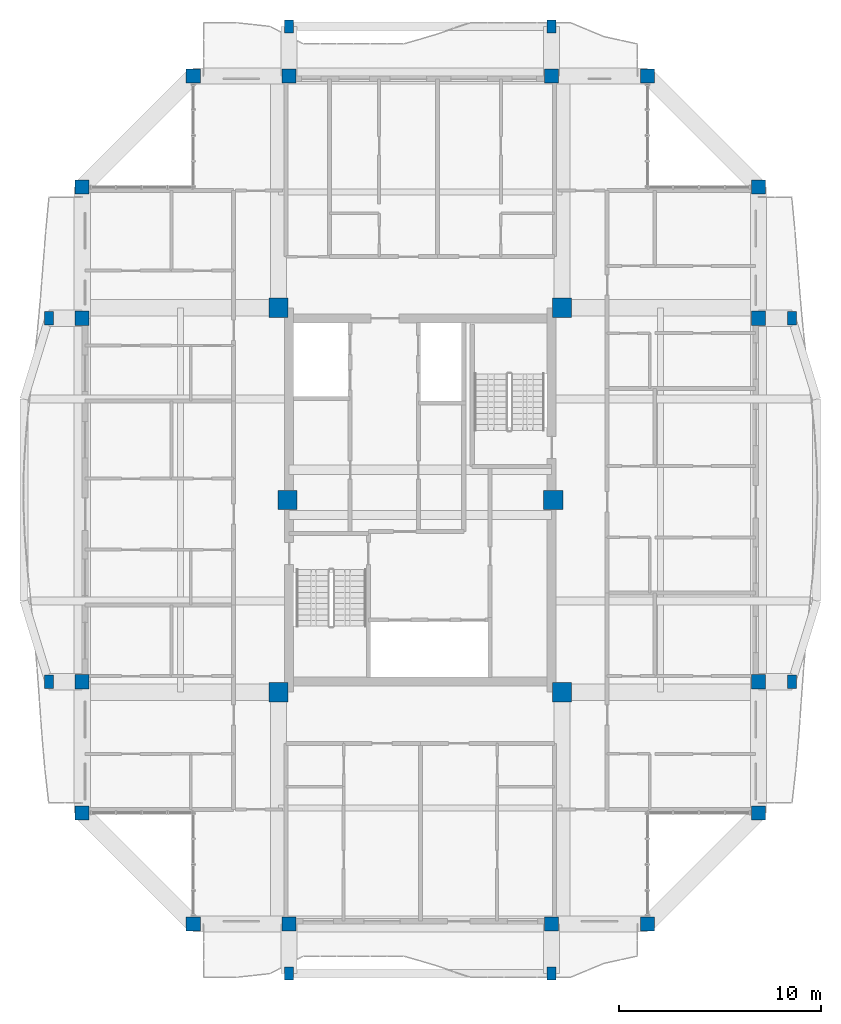
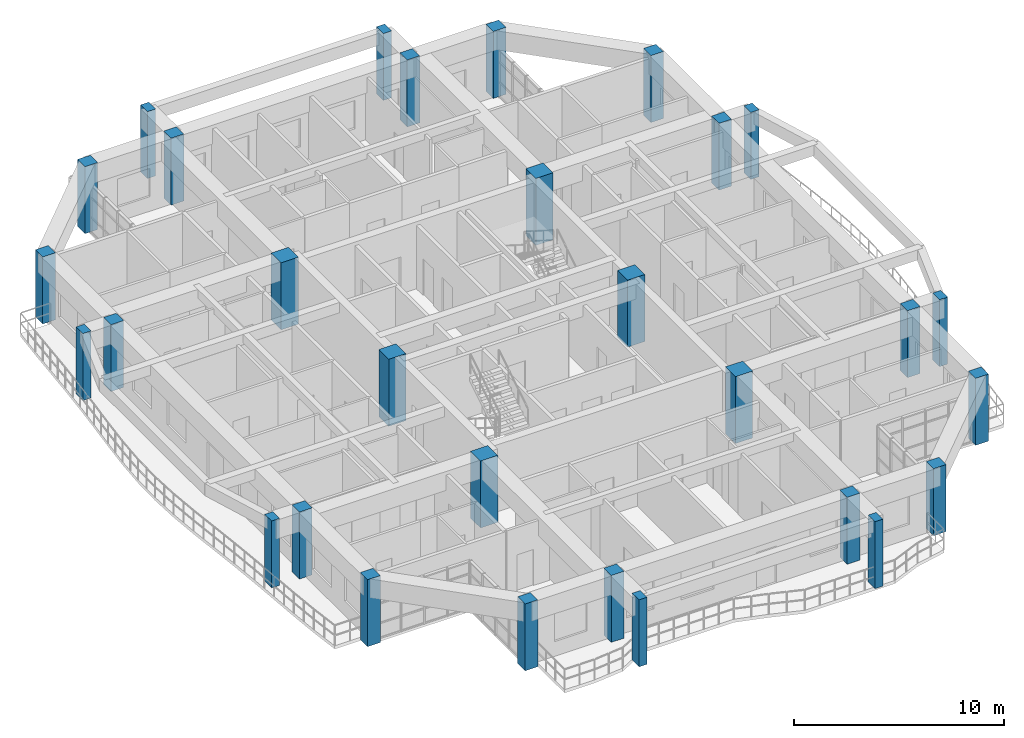
# One storey, part 1 of 27: 30 columns.
"""IFC4 building model written with IfcOpenShell, lengths in metres."""

import ifcopenshell
import ifcopenshell.guid

model = None  # the IFC model being written
_history = None  # IfcOwnerHistory: only IFC2X3 demands one
_inside = {}  # id of a spatial element -> (the spatial element, [elements in it])
_under = {}  # id of a project, library or spatial element -> (it, [spatial elements below it])
_declared = {}  # id of a project -> (the project, [libraries it declares])
_typed = {}  # id of a type object -> (the type object, [elements of that type])
_made_of = {}  # id of a material, layer set ... -> (it, [elements and type objects made of it])


def new_model(schema):
    """Start an empty IFC model of exactly this schema.

    Asked for "IFC4X3", IfcOpenShell would pick the latest addendum, in which some entities
    have other attributes; the version numbers below select the first issue.
    IFC2X3 requires an IfcOwnerHistory on every rooted entity: one is made here for all.
    """
    global model, _history
    if schema == "IFC4X3":
        model = ifcopenshell.file(schema_version=(4, 3, 0, 0))
    else:
        model = ifcopenshell.file(schema=schema)
    _inside.clear()
    _under.clear()
    _declared.clear()
    _typed.clear()
    _made_of.clear()
    _history = None
    if model.schema == "IFC2X3":
        org = make("IfcOrganization", Name="unknown")
        user = make(
            "IfcPersonAndOrganization",
            ThePerson=make("IfcPerson", FamilyName="unknown"),
            TheOrganization=org,
        )
        app = make(
            "IfcApplication",
            ApplicationDeveloper=org,
            Version="unknown",
            ApplicationFullName="unknown",
            ApplicationIdentifier="unknown",
        )
        _history = make(
            "IfcOwnerHistory",
            OwningUser=user,
            OwningApplication=app,
            ChangeAction="ADDED",
            CreationDate=0,
        )
    return model


def make(cls, **values):
    """One entity of the class cls with the attributes given. An attribute that is None is left unset."""
    return model.create_entity(
        cls, **{name: value for name, value in values.items() if value is not None}
    )


def rooted(cls, **values):
    """An entity with a GlobalId (a new one), such as an element, a storey or a relation."""
    return make(cls, GlobalId=ifcopenshell.guid.new(), OwnerHistory=_history, **values)


def si_unit(unit_type, name, prefix=None):
    """IfcSIUnit, for example si_unit("LENGTHUNIT", "METRE", prefix="MILLI")."""
    return make("IfcSIUnit", UnitType=unit_type, Prefix=prefix, Name=name)


def assignment(units):
    """IfcUnitAssignment: the units of a project."""
    return None if units is None else make("IfcUnitAssignment", Units=units)


def point(xyz):
    """IfcCartesianPoint."""
    return None if xyz is None else make("IfcCartesianPoint", Coordinates=xyz)


def direction(xyz):
    """IfcDirection."""
    return None if xyz is None else make("IfcDirection", DirectionRatios=xyz)


def frame(location, z_axis=None, x_axis=None):
    """IfcAxis2Placement3D, a coordinate frame: its origin and axes. An axis left out is left unset."""
    return make(
        "IfcAxis2Placement3D",
        Location=point(location),
        Axis=direction(z_axis),
        RefDirection=direction(x_axis),
    )


def frame_2d(location, x_axis=None):
    """IfcAxis2Placement2D, a coordinate frame in the plane: its origin and x axis."""
    return make(
        "IfcAxis2Placement2D", Location=point(location), RefDirection=direction(x_axis)
    )


def origin():
    """The frame at (0, 0, 0) with its axes left unset."""
    return frame((0.0, 0.0, 0.0))


def origin_2d():
    """The frame at (0, 0) in the plane with its x axis left unset."""
    return frame_2d((0.0, 0.0))


def place(relative_to, where):
    """IfcLocalPlacement: puts the frame where relative to a parent placement (None: the world)."""
    return make(
        "IfcLocalPlacement", PlacementRelTo=relative_to, RelativePlacement=where
    )


def context(
    kind, dimensions, precision=None, world=None, true_north=None, identifier=None
):
    """IfcGeometricRepresentationContext, for example the 3D "Model" context."""
    return make(
        "IfcGeometricRepresentationContext",
        ContextIdentifier=identifier,
        ContextType=kind,
        CoordinateSpaceDimension=dimensions,
        Precision=precision,
        WorldCoordinateSystem=world,
        TrueNorth=true_north,
    )


def subcontext(parent, identifier, kind, view, scale=None):
    """IfcGeometricRepresentationSubContext, for example "Body" below "Model"."""
    return make(
        "IfcGeometricRepresentationSubContext",
        ContextIdentifier=identifier,
        ContextType=kind,
        ParentContext=parent,
        TargetScale=scale,
        TargetView=view,
    )


def project(units=None, contexts=None):
    """IfcProject with its units and contexts."""
    return rooted(
        "IfcProject",
        Name="project",
        RepresentationContexts=contexts,
        UnitsInContext=assignment(units),
    )


def spatial(cls, under=None, at=None, **own):
    """A site, building, storey or space (cls), placed at a placement, below another one or the project."""
    s = rooted(cls, ObjectPlacement=at, **own)
    if under is not None:
        _under.setdefault(under.id(), (under, []))[1].append(s)
    return s


def profile(cls, at=None, kind="AREA", **sizes):
    """A parametric profile (cls). Its sizes go by their IFC names, for example OverallWidth=200.0."""
    return make(cls, ProfileType=kind, Position=at, **sizes)


def rectangle(**sizes):
    """IfcRectangleProfileDef."""
    return profile("IfcRectangleProfileDef", **sizes)


def extrude(swept, where, along, depth):
    """IfcExtrudedAreaSolid: the profile swept, set in the frame where, extruded along a direction by depth."""
    return make(
        "IfcExtrudedAreaSolid",
        SweptArea=swept,
        Position=where,
        ExtrudedDirection=direction(along),
        Depth=depth,
    )


def shape(context_of_items, identifier, shape_type, items):
    """IfcShapeRepresentation: the items that make up one representation, for example the "Body"."""
    return make(
        "IfcShapeRepresentation",
        ContextOfItems=context_of_items,
        RepresentationIdentifier=identifier,
        RepresentationType=shape_type,
        Items=items,
    )


def source(mapping_origin, context_of_items, identifier, shape_type, items):
    """IfcRepresentationMap: a shape defined once, which mapped items show again and again."""
    return make(
        "IfcRepresentationMap",
        MappingOrigin=mapping_origin,
        MappedRepresentation=shape(context_of_items, identifier, shape_type, items),
    )


def transform(
    local_origin,
    x_axis=None,
    y_axis=None,
    z_axis=None,
    scale=None,
    scale2=None,
    scale3=None,
    uniform=True,
):
    """IfcCartesianTransformationOperator3D, or its non-uniform kind. x_axis, y_axis, z_axis: its Axis1, 2, 3."""
    if uniform:
        return make(
            "IfcCartesianTransformationOperator3D",
            Axis1=direction(x_axis),
            Axis2=direction(y_axis),
            LocalOrigin=point(local_origin),
            Scale=scale,
            Axis3=direction(z_axis),
        )
    return make(
        "IfcCartesianTransformationOperator3DnonUniform",
        Axis1=direction(x_axis),
        Axis2=direction(y_axis),
        LocalOrigin=point(local_origin),
        Scale=scale,
        Axis3=direction(z_axis),
        Scale2=scale2,
        Scale3=scale3,
    )


def mapped(mapping_source, mapping_target):
    """IfcMappedItem: shows the shape of a source again, moved by a transform."""
    return make(
        "IfcMappedItem", MappingSource=mapping_source, MappingTarget=mapping_target
    )


def material(Name=None, Category=None):
    """IfcMaterial."""
    return make("IfcMaterial", Name=Name, Category=Category)


def material_profile(
    of_material, cross_section, Name=None, Category=None, Priority=None
):
    """IfcMaterialProfile: a cross section and its material."""
    return make(
        "IfcMaterialProfile",
        Name=Name,
        Material=of_material,
        Profile=cross_section,
        Priority=Priority,
        Category=Category,
    )


def profile_set(profiles, Name=None, composite=None):
    """IfcMaterialProfileSet."""
    return make(
        "IfcMaterialProfileSet",
        Name=Name,
        MaterialProfiles=profiles,
        CompositeProfile=composite,
    )


def made_of(thing, what):
    """Note that an element or type object is made of a material, layer set ...; save() writes the relation."""
    if what is not None:
        _made_of.setdefault(what.id(), (what, []))[1].append(thing)
    return thing


def type_object(cls, material=None, **own):
    """A type object (cls), such as IfcWallType, which elements share."""
    return made_of(rooted(cls, **own), material)


def element(
    cls,
    number,
    at=None,
    inside=None,
    cuts=None,
    type_object=None,
    material=None,
    context=None,
    identifier="Body",
    shape_type=None,
    held_by="IfcProductDefinitionShape",
    body=None,
    shapes=None,
    **own,
):
    """One element of the class cls, such as IfcWall. Its Tag is "e" and its number.

    at: its placement. inside: the storey or other place that contains it. cuts: it is an
    opening in that element (IfcRelVoidsElement). A single representation is given by context,
    identifier, shape_type and body (its items); several are given by shapes. held_by: the class
    of the entity that holds the representations. save() writes the other relations.
    """
    e = rooted(cls, Tag="e%d" % number, ObjectPlacement=at, **own)
    if body is not None:
        shapes = [shape(context, identifier, shape_type, body)]
    if shapes is not None:
        e.Representation = make(held_by, Representations=shapes)
    if inside is not None:
        _inside.setdefault(inside.id(), (inside, []))[1].append(e)
    if cuts is not None:
        rooted(
            "IfcRelVoidsElement", RelatingBuildingElement=cuts, RelatedOpeningElement=e
        )
    if type_object is not None:
        _typed.setdefault(type_object.id(), (type_object, []))[1].append(e)
    return made_of(e, material)


def aggregate(whole, parts):
    """IfcRelAggregates: a whole, such as a stair, and the parts it consists of."""
    return rooted("IfcRelAggregates", RelatingObject=whole, RelatedObjects=parts)


def save(model, path):
    """Write the relations noted so far, then the file.

    IfcRelAggregates (storeys below a building ...), IfcRelContainedInSpatialStructure (elements
    in a storey), IfcRelDefinesByType, IfcRelAssociatesMaterial and IfcRelDeclares: one each for
    every whole, place, type object, material and project.
    """
    for whole, parts in _under.values():
        aggregate(whole, parts)
    for where, things in _inside.values():
        rooted(
            "IfcRelContainedInSpatialStructure",
            RelatedElements=things,
            RelatingStructure=where,
        )
    for kind, things in _typed.values():
        rooted("IfcRelDefinesByType", RelatedObjects=things, RelatingType=kind)
    for what, things in _made_of.values():
        rooted("IfcRelAssociatesMaterial", RelatedObjects=things, RelatingMaterial=what)
    for by, libraries in _declared.values():
        rooted("IfcRelDeclares", RelatingContext=by, RelatedDefinitions=libraries)
    model.write(path)


model = new_model("IFC4")

# Units and contexts
model_context = context("Model", 3, precision=1e-05, world=origin(), true_north=direction((0.0, 1.0)))
body_context = subcontext(model_context, "Body", "Model", "MODEL_VIEW")
ifc_project = project(units=[si_unit("LENGTHUNIT", "METRE"), si_unit("AREAUNIT", "SQUARE_METRE"), si_unit("VOLUMEUNIT", "CUBIC_METRE"), si_unit("PLANEANGLEUNIT", "RADIAN"), si_unit("MASSUNIT", "GRAM", prefix="KILO")], contexts=[model_context])

# Site, building, storey
site_placement = place(None, origin())
site = spatial("IfcSite", under=ifc_project, at=site_placement, CompositionType="ELEMENT")
building_placement = place(site_placement, origin())
building = spatial("IfcBuilding", under=site, at=building_placement, Name="Saelheon Loggia Tower", CompositionType="ELEMENT")
storey_placement = place(building_placement, frame((0.0, 0.0, 226.199951171875)))
storey = spatial("IfcBuildingStorey", under=building, at=storey_placement, Name="L70", CompositionType="ELEMENT", Elevation=226.199951171875)

# Columns
ifc_material_1 = material(Name="Concrete C45/55", Category="concrete")
ifc_material_profile_1 = material_profile(ifc_material_1, rectangle(XDim=0.949951171875, YDim=0.949951171875, at=origin_2d()), Name="RC-950x950")
ifc_profile_set_1 = profile_set([ifc_material_profile_1], Name="Concrete C45/55")
column_type_1 = type_object("IfcColumnType", Name="Col_Core_RC950", PredefinedType="COLUMN", material=ifc_profile_set_1)
shared_shape_1 = source(origin(), body_context, "Body", "SweptSolid", [
    extrude(rectangle(XDim=0.949951171875, YDim=0.949951171875, at=origin_2d()), origin(), (0.0, 0.0, 1.0), 3.900146484375),
])
for number, where, z_axis, x_axis, name in (
    (1, (30.97998046875, 17.47998046875, 0.0), (0.0, 0.0, 1.0), (1.0, 0.0, 0.0), "L70 Core Column CR-SW"),
    (2, (45.02001953125, 17.47998046875, 0.0), (0.0, 0.0, 1.0), (1.0, 0.0, 0.0), "L70 Core Column CR-SE"),
    (3, (30.97998046875, 36.52001953125, 0.0), (0.0, 0.0, 1.0), (1.0, 0.0, 0.0), "L70 Core Column CR-NW"),
    (4, (45.02001953125, 36.52001953125, 0.0), (0.0, 0.0, 1.0), (1.0, 0.0, 0.0), "L70 Core Column CR-NE"),
    (5, (31.419921875, 27.0, 0.0), (0.0, 0.0, 1.0), (1.0, 0.0, 0.0), "L70 Core Column CR-MW"),
    (6, (44.580078125, 27.0, 0.0), (0.0, 0.0, 1.0), (1.0, 0.0, 0.0), "L70 Core Column CR-ME"),
):
    element("IfcColumn", number, at=place(storey_placement, frame(where, z_axis=z_axis, x_axis=x_axis)), inside=storey, type_object=column_type_1, Name=name, PredefinedType="COLUMN", context=body_context, shape_type="MappedRepresentation", body=[
        mapped(shared_shape_1, transform((0.0, 0.0, 0.0), scale=1.0)),
    ])
ifc_material_2 = material(Name="Precast Concrete C45/55", Category="concrete")
ifc_material_profile_2 = material_profile(ifc_material_2, rectangle(XDim=0.449951171875, YDim=0.64990234375, at=origin_2d()), Name="RC-450x650")
ifc_profile_set_2 = profile_set([ifc_material_profile_2], Name="Precast Concrete C45/55")
column_type_2 = type_object("IfcColumnType", Name="Col_Loggia_Pilaster_650", PredefinedType="PILASTER", material=ifc_profile_set_2)
shared_shape_2 = source(origin(), body_context, "Body", "SweptSolid", [
    extrude(rectangle(XDim=0.449951171875, YDim=0.64990234375, at=origin_2d()), origin(), (0.0, 0.0, 1.0), 3.900146484375),
])
for number, where, z_axis, x_axis, name in (
    (7, (31.5, 3.550048828125, 0.0), (0.0, 0.0, 1.0), (1.0, 0.0, 0.0), "L70 Loggia Frame Pilaster LP-S1"),
    (8, (44.5, 3.550048828125, 0.0), (0.0, 0.0, 1.0), (1.0, 0.0, 0.0), "L70 Loggia Frame Pilaster LP-S2"),
    (9, (31.5, 50.449951171875, 0.0), (0.0, 0.0, 1.0), (1.0, 0.0, 0.0), "L70 Loggia Frame Pilaster LP-N1"),
    (10, (44.5, 50.449951171875, 0.0), (0.0, 0.0, 1.0), (1.0, 0.0, 0.0), "L70 Loggia Frame Pilaster LP-N2"),
    (11, (56.39990234375, 18.0, 0.0), (0.0, 0.0, 1.0), (1.0, 0.0, 0.0), "L70 Loggia Frame Pilaster LP-E1"),
    (12, (56.39990234375, 36.0, 0.0), (0.0, 0.0, 1.0), (1.0, 0.0, 0.0), "L70 Loggia Frame Pilaster LP-E2"),
    (13, (19.60009765625, 18.0, 0.0), (0.0, 0.0, 1.0), (1.0, 0.0, 0.0), "L70 Loggia Frame Pilaster LP-W1"),
    (14, (19.60009765625, 36.0, 0.0), (0.0, 0.0, 1.0), (1.0, 0.0, 0.0), "L70 Loggia Frame Pilaster LP-W2"),
):
    element("IfcColumn", number, at=place(storey_placement, frame(where, z_axis=z_axis, x_axis=x_axis)), inside=storey, type_object=column_type_2, Name=name, PredefinedType="PILASTER", context=body_context, shape_type="MappedRepresentation", body=[
        mapped(shared_shape_2, transform((0.0, 0.0, 0.0), scale=1.0)),
    ])
ifc_material_profile_3 = material_profile(ifc_material_1, rectangle(XDim=0.699951171875, YDim=0.699951171875, at=origin_2d()), Name="RC-700x700")
ifc_profile_set_3 = profile_set([ifc_material_profile_3], Name="Concrete C45/55")
column_type_3 = type_object("IfcColumnType", Name="Col_Perim_RC700", PredefinedType="COLUMN", material=ifc_profile_set_3)
shared_shape_3 = source(origin(), body_context, "Body", "SweptSolid", [
    extrude(rectangle(XDim=0.699951171875, YDim=0.699951171875, at=origin_2d()), origin(), (0.0, 0.0, 1.0), 3.900146484375),
])
for number, where, z_axis, x_axis, name in (
    (15, (26.75, 6.0, 0.0), (0.0, 0.0, 1.0), (1.0, 0.0, 0.0), "L70 Perimeter Column TP-S1"),
    (16, (31.5, 6.0, 0.0), (0.0, 0.0, 1.0), (1.0, 0.0, 0.0), "L70 Perimeter Column TP-SA"),
    (17, (44.5, 6.0, 0.0), (0.0, 0.0, 1.0), (1.0, 0.0, 0.0), "L70 Perimeter Column TP-SB"),
    (18, (49.25, 6.0, 0.0), (0.0, 0.0, 1.0), (1.0, 0.0, 0.0), "L70 Perimeter Column TP-S2"),
    (19, (54.75, 11.5, 0.0), (0.0, 0.0, 1.0), (1.0, 0.0, 0.0), "L70 Perimeter Column TP-E1"),
    (20, (54.75, 18.0, 0.0), (0.0, 0.0, 1.0), (1.0, 0.0, 0.0), "L70 Perimeter Column TP-EA"),
    (21, (54.75, 36.0, 0.0), (0.0, 0.0, 1.0), (1.0, 0.0, 0.0), "L70 Perimeter Column TP-EB"),
    (22, (54.75, 42.5, 0.0), (0.0, 0.0, 1.0), (1.0, 0.0, 0.0), "L70 Perimeter Column TP-E2"),
    (23, (49.25, 48.0, 0.0), (0.0, 0.0, 1.0), (1.0, 0.0, 0.0), "L70 Perimeter Column TP-N2"),
    (24, (44.5, 48.0, 0.0), (0.0, 0.0, 1.0), (1.0, 0.0, 0.0), "L70 Perimeter Column TP-NB"),
    (25, (31.5, 48.0, 0.0), (0.0, 0.0, 1.0), (1.0, 0.0, 0.0), "L70 Perimeter Column TP-NA"),
    (26, (26.75, 48.0, 0.0), (0.0, 0.0, 1.0), (1.0, 0.0, 0.0), "L70 Perimeter Column TP-N1"),
    (27, (21.25, 42.5, 0.0), (0.0, 0.0, 1.0), (1.0, 0.0, 0.0), "L70 Perimeter Column TP-W2"),
    (28, (21.25, 36.0, 0.0), (0.0, 0.0, 1.0), (1.0, 0.0, 0.0), "L70 Perimeter Column TP-WB"),
    (29, (21.25, 18.0, 0.0), (0.0, 0.0, 1.0), (1.0, 0.0, 0.0), "L70 Perimeter Column TP-WA"),
    (30, (21.25, 11.5, 0.0), (0.0, 0.0, 1.0), (1.0, 0.0, 0.0), "L70 Perimeter Column TP-W1"),
):
    element("IfcColumn", number, at=place(storey_placement, frame(where, z_axis=z_axis, x_axis=x_axis)), inside=storey, type_object=column_type_3, Name=name, PredefinedType="COLUMN", context=body_context, shape_type="MappedRepresentation", body=[
        mapped(shared_shape_3, transform((0.0, 0.0, 0.0), scale=1.0)),
    ])

save(model, "model.ifc")
